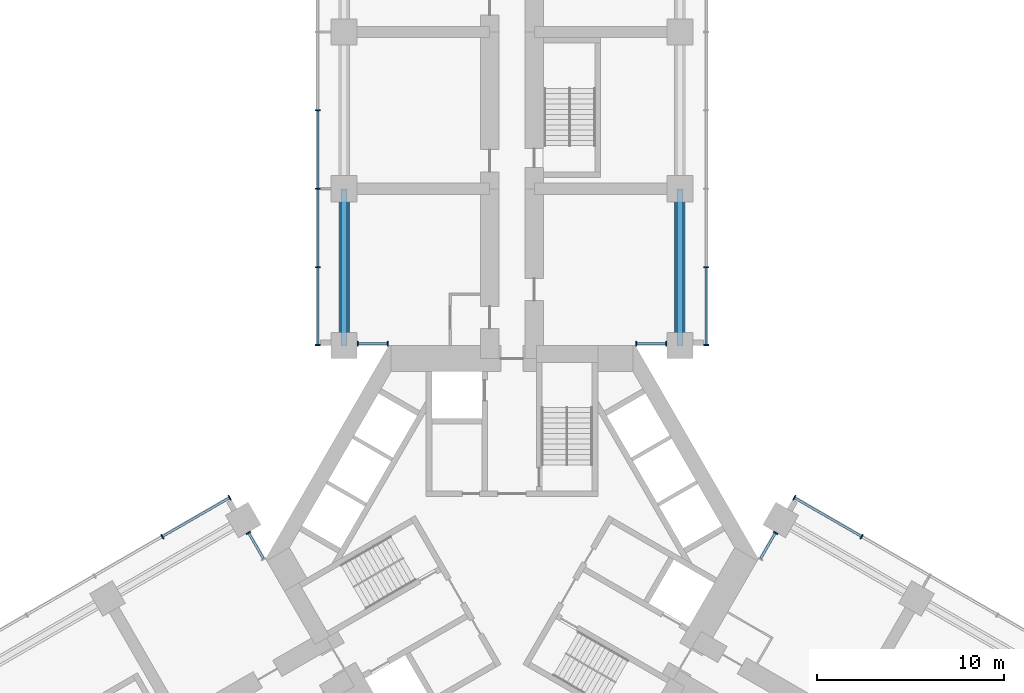
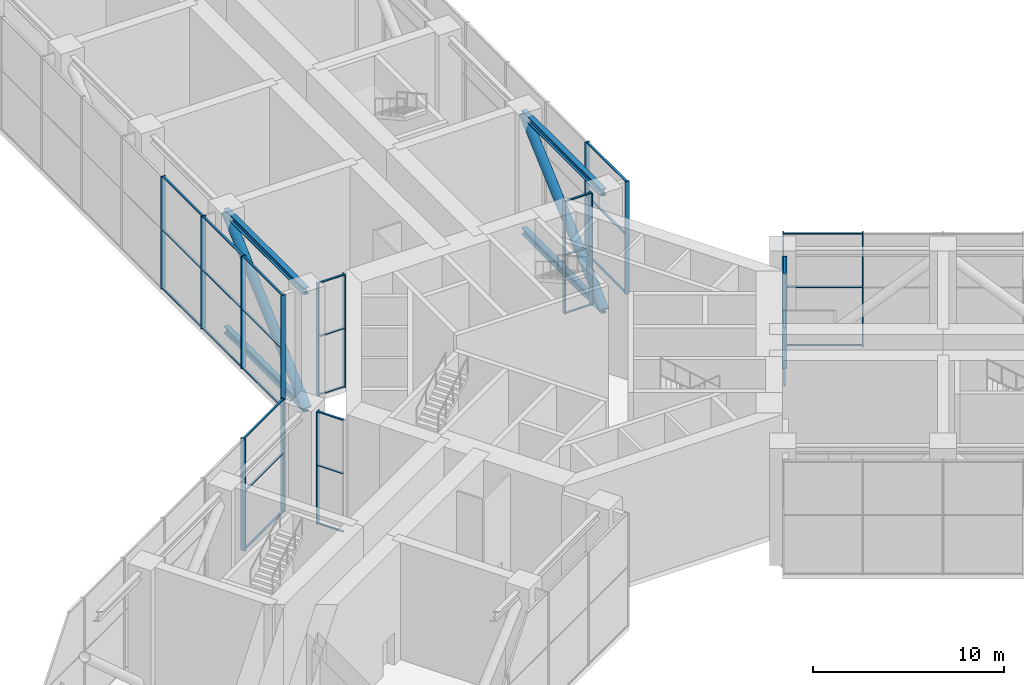
# One storey, part 5 of 19: 52 members, 8 elements without a shape of their own.
"""IFC4 building model written with IfcOpenShell, lengths in metres."""

from ifc_helpers import new_model, si_unit, direction, frame, origin, origin_2d, place, context, subcontext, project, spatial, rectangle, hollow_circle, i_section, extrude, material, material_profile, profile_set, type_object, element, aggregate, save


model = new_model("IFC4")

# Units and contexts
model_context = context("Model", 3, precision=1e-05, world=origin(), true_north=direction((0.0, 1.0)))
body_context = subcontext(model_context, "Body", "Model", "MODEL_VIEW")
ifc_project = project(units=[si_unit("LENGTHUNIT", "METRE"), si_unit("AREAUNIT", "SQUARE_METRE"), si_unit("VOLUMEUNIT", "CUBIC_METRE"), si_unit("PLANEANGLEUNIT", "RADIAN"), si_unit("MASSUNIT", "GRAM", prefix="KILO")], contexts=[model_context])

# Site, building, storey
site_placement = place(None, origin())
site = spatial("IfcSite", under=ifc_project, at=site_placement, CompositionType="ELEMENT")
building_placement = place(site_placement, origin())
building = spatial("IfcBuilding", under=site, at=building_placement, Name="Impinga Residences", CompositionType="ELEMENT")
storey_placement = place(building_placement, frame((0.0, 0.0, 93.5)))
storey = spatial("IfcBuildingStorey", under=building, at=storey_placement, Name="L23", CompositionType="ELEMENT", Elevation=93.5)

# Members
ifc_material_1 = material(Name="Steel S355", Category="steel")
ifc_material_profile_1 = material_profile(ifc_material_1, i_section(OverallWidth=0.306884765625, OverallDepth=0.431884765625, WebThickness=0.02099609375, FlangeThickness=0.0400390625, FilletRadius=0.027099609375, at=origin_2d()), Name="HE 400 M")
ifc_profile_set_1 = profile_set([ifc_material_profile_1], Name="Steel S355")
member_type_1 = type_object("IfcMemberType", Name="BT1 HE 400 M belt truss chord", PredefinedType="CHORD", material=ifc_profile_set_1)
for number, where, z_axis, x_axis, name in (
    (1, (-9.0, 11.431640625, -0.51611328125), (0.0, 1.0, 0.0), (-1.0, 0.0, 0.0), "Belt truss chord BT1 NA N1-N2 L23"),
    (2, (-9.0, 11.431640625, 6.98388671875), (0.0, 1.0, 0.0), (-1.0, 0.0, 0.0), "Belt truss chord BT1 NA N1-N2 L23"),
    (3, (9.0, 11.431640625, -0.51611328125), (0.0, 1.0, 0.0), (-1.0, 0.0, 0.0), "Belt truss chord BT1 NF N1-N2 L23"),
    (4, (9.0, 11.431640625, 6.98388671875), (0.0, 1.0, 0.0), (-1.0, 0.0, 0.0), "Belt truss chord BT1 NF N1-N2 L23"),
):
    element("IfcMember", number, at=place(storey_placement, frame(where, z_axis=z_axis, x_axis=x_axis)), inside=storey, type_object=member_type_1, Name=name, PredefinedType="CHORD", context=body_context, shape_type="SweptSolid", body=[
        extrude(i_section(OverallWidth=0.306884765625, OverallDepth=0.431884765625, WebThickness=0.02099609375, FlangeThickness=0.0400390625, FilletRadius=0.027099609375, at=origin_2d()), origin(), (0.0, 0.0, 1.0), 8.39990234375),
    ])
ifc_material_2 = material(Name="Steel S355J2H", Category="steel")
ifc_material_profile_2 = material_profile(ifc_material_2, hollow_circle(Radius=0.279541015625, WallThickness=0.02001953125, at=origin_2d()), Name="CHS 559x20")
ifc_profile_set_2 = profile_set([ifc_material_profile_2], Name="Steel S355J2H")
member_type_2 = type_object("IfcMemberType", Name="BT2 CHS 559x20 belt truss diagonal at L23", PredefinedType="BRACE", material=ifc_profile_set_2)
for number, where, z_axis, x_axis, name in (
    (5, (-9.0, 11.431640625, -0.51611328125), (0.0, 0.745933814853, 0.666020077669), (-1.0, 0.0, 0.0), "Belt truss diagonal BT2 NA N1-N2 L23"),
    (6, (9.0, 11.431640625, -0.51611328125), (0.0, 0.745933814853, 0.666020077669), (-1.0, 0.0, 0.0), "Belt truss diagonal BT2 NF N1-N2 L23"),
):
    element("IfcMember", number, at=place(storey_placement, frame(where, z_axis=z_axis, x_axis=x_axis)), inside=storey, type_object=member_type_2, Name=name, PredefinedType="BRACE", context=body_context, shape_type="SweptSolid", body=[
        extrude(hollow_circle(Radius=0.279541015625, WallThickness=0.02001953125, at=origin_2d()), origin(), (0.0, 0.0, 1.0), 11.260986328125),
    ])

# Curtain wall, members
ifc_material_3 = material(Name="Aluminium stick curtain wall", Category="aluminium")
curtain_wall_type = type_object("IfcCurtainWallType", Name="CW4 plant floor louvred curtain wall", PredefinedType="USERDEFINED", material=ifc_material_3)
curtain_wall_1_placement = place(storey_placement, origin())
curtain_wall_1 = element("IfcCurtainWall", 7, at=curtain_wall_1_placement, inside=storey, type_object=curtain_wall_type, Name="Curtain wall CW4 L23", ObjectType="STICK CURTAIN WALL", PredefinedType="USERDEFINED")
ifc_material_4 = material(Name="Aluminium mullion", Category="aluminium")
ifc_material_profile_3 = material_profile(ifc_material_4, rectangle(XDim=0.06005859375, YDim=0.27490234375, at=origin_2d()), Name="60x275 mullion")
ifc_profile_set_3 = profile_set([ifc_material_profile_3], Name="Aluminium mullion")
member_type_3 = type_object("IfcMemberType", Name="CW4-M mullion 60x275", PredefinedType="MULLION", material=ifc_profile_set_3)
member_1_placement = place(storey_placement, frame((-18.7373046875, 1.19091796875, 0.0), z_axis=(0.0, 0.0, 1.0), x_axis=(0.866025407005, 0.499999994423, 0.0)))
member_1 = element("IfcMember", 8, at=member_1_placement, type_object=member_type_3, Name="CW4 mullion 8", PredefinedType="MULLION", context=body_context, shape_type="SweptSolid", body=[
    extrude(rectangle(XDim=0.06005859375, YDim=0.27490234375, at=origin_2d()), origin(), (0.0, 0.0, 1.0), 7.199951171875),
])
member_2_placement = place(storey_placement, frame((-15.1259765625, 3.27587890625, 0.0), z_axis=(0.0, 0.0, 1.0), x_axis=(0.866025407005, 0.499999994423, 0.0)))
member_2 = element("IfcMember", 9, at=member_2_placement, type_object=member_type_3, Name="CW4 mullion 9", PredefinedType="MULLION", context=body_context, shape_type="SweptSolid", body=[
    extrude(rectangle(XDim=0.06005859375, YDim=0.27490234375, at=origin_2d()), origin(), (0.0, 0.0, 1.0), 7.199951171875),
])

# Curtain wall, member
curtain_wall_2_placement = place(storey_placement, origin())
curtain_wall_2 = element("IfcCurtainWall", 10, at=curtain_wall_2_placement, inside=storey, type_object=curtain_wall_type, Name="Curtain wall CW4 L23", ObjectType="STICK CURTAIN WALL", PredefinedType="USERDEFINED")
member_3_placement = place(storey_placement, frame((-14.1201171875, 1.3935546875, 0.0), z_axis=(0.0, 0.0, 1.0), x_axis=(0.500000069952, -0.866025363398, 0.0)))
member_3 = element("IfcMember", 11, at=member_3_placement, type_object=member_type_3, Name="CW4 mullion 1", PredefinedType="MULLION", context=body_context, shape_type="SweptSolid", body=[
    extrude(rectangle(XDim=0.06005859375, YDim=0.27490234375, at=origin_2d()), origin(), (0.0, 0.0, 1.0), 7.199951171875),
])

# Curtain wall, members
curtain_wall_3_placement = place(storey_placement, origin())
curtain_wall_3 = element("IfcCurtainWall", 12, at=curtain_wall_3_placement, inside=storey, type_object=curtain_wall_type, Name="Curtain wall CW4 L23", ObjectType="STICK CURTAIN WALL", PredefinedType="USERDEFINED")
member_4_placement = place(storey_placement, frame((-6.6552734375, 11.531494140625, 0.0), z_axis=(0.0, 0.0, 1.0), x_axis=(-1.0, 0.0, 0.0)))
member_4 = element("IfcMember", 13, at=member_4_placement, type_object=member_type_3, Name="CW4 mullion 1", PredefinedType="MULLION", context=body_context, shape_type="SweptSolid", body=[
    extrude(rectangle(XDim=0.06005859375, YDim=0.27490234375, at=origin_2d()), origin(), (0.0, 0.0, 1.0), 7.199951171875),
])
member_5_placement = place(storey_placement, frame((-8.26708984375, 11.531494140625, 0.0), z_axis=(0.0, 0.0, 1.0), x_axis=(-1.0, 0.0, 0.0)))
member_5 = element("IfcMember", 14, at=member_5_placement, type_object=member_type_3, Name="CW4 mullion 2", PredefinedType="MULLION", context=body_context, shape_type="SweptSolid", body=[
    extrude(rectangle(XDim=0.06005859375, YDim=0.27490234375, at=origin_2d()), origin(), (0.0, 0.0, 1.0), 7.199951171875),
])

curtain_wall_4_placement = place(storey_placement, origin())
curtain_wall_4 = element("IfcCurtainWall", 15, at=curtain_wall_4_placement, inside=storey, type_object=curtain_wall_type, Name="Curtain wall CW4 L23", ObjectType="STICK CURTAIN WALL", PredefinedType="USERDEFINED")
member_6_placement = place(storey_placement, frame((-10.39990234375, 11.46142578125, 0.0), z_axis=(0.0, 0.0, 1.0), x_axis=(0.0, 1.0, 0.0)))
member_6 = element("IfcMember", 16, at=member_6_placement, type_object=member_type_3, Name="CW4 mullion 1", PredefinedType="MULLION", context=body_context, shape_type="SweptSolid", body=[
    extrude(rectangle(XDim=0.06005859375, YDim=0.27490234375, at=origin_2d()), origin(), (0.0, 0.0, 1.0), 7.199951171875),
])
member_7_placement = place(storey_placement, frame((-10.39990234375, 15.631591796875, 0.0), z_axis=(0.0, 0.0, 1.0), x_axis=(0.0, 1.0, 0.0)))
member_7 = element("IfcMember", 17, at=member_7_placement, type_object=member_type_3, Name="CW4 mullion 2", PredefinedType="MULLION", context=body_context, shape_type="SweptSolid", body=[
    extrude(rectangle(XDim=0.06005859375, YDim=0.27490234375, at=origin_2d()), origin(), (0.0, 0.0, 1.0), 7.199951171875),
])
member_8_placement = place(storey_placement, frame((-10.39990234375, 19.83154296875, 0.0), z_axis=(0.0, 0.0, 1.0), x_axis=(0.0, 1.0, 0.0)))
member_8 = element("IfcMember", 18, at=member_8_placement, type_object=member_type_3, Name="CW4 mullion 3", PredefinedType="MULLION", context=body_context, shape_type="SweptSolid", body=[
    extrude(rectangle(XDim=0.06005859375, YDim=0.27490234375, at=origin_2d()), origin(), (0.0, 0.0, 1.0), 7.199951171875),
])
member_9_placement = place(storey_placement, frame((-10.39990234375, 24.031494140625, 0.0), z_axis=(0.0, 0.0, 1.0), x_axis=(0.0, 1.0, 0.0)))
member_9 = element("IfcMember", 19, at=member_9_placement, type_object=member_type_3, Name="CW4 mullion 4", PredefinedType="MULLION", context=body_context, shape_type="SweptSolid", body=[
    extrude(rectangle(XDim=0.06005859375, YDim=0.27490234375, at=origin_2d()), origin(), (0.0, 0.0, 1.0), 7.199951171875),
])

curtain_wall_5_placement = place(storey_placement, origin())
curtain_wall_5 = element("IfcCurtainWall", 20, at=curtain_wall_5_placement, inside=storey, type_object=curtain_wall_type, Name="Curtain wall CW4 L23", ObjectType="STICK CURTAIN WALL", PredefinedType="USERDEFINED")
member_10_placement = place(storey_placement, frame((10.39990234375, 15.631591796875, 0.0), z_axis=(0.0, 0.0, 1.0), x_axis=(0.0, -1.0, 0.0)))
member_10 = element("IfcMember", 21, at=member_10_placement, type_object=member_type_3, Name="CW4 mullion 8", PredefinedType="MULLION", context=body_context, shape_type="SweptSolid", body=[
    extrude(rectangle(XDim=0.06005859375, YDim=0.27490234375, at=origin_2d()), origin(), (0.0, 0.0, 1.0), 7.199951171875),
])
member_11_placement = place(storey_placement, frame((10.39990234375, 11.46142578125, 0.0), z_axis=(0.0, 0.0, 1.0), x_axis=(0.0, -1.0, 0.0)))
member_11 = element("IfcMember", 22, at=member_11_placement, type_object=member_type_3, Name="CW4 mullion 9", PredefinedType="MULLION", context=body_context, shape_type="SweptSolid", body=[
    extrude(rectangle(XDim=0.06005859375, YDim=0.27490234375, at=origin_2d()), origin(), (0.0, 0.0, 1.0), 7.199951171875),
])

curtain_wall_6_placement = place(storey_placement, origin())
curtain_wall_6 = element("IfcCurtainWall", 23, at=curtain_wall_6_placement, inside=storey, type_object=curtain_wall_type, Name="Curtain wall CW4 L23", ObjectType="STICK CURTAIN WALL", PredefinedType="USERDEFINED")
member_12_placement = place(storey_placement, frame((8.26708984375, 11.531494140625, 0.0), z_axis=(0.0, 0.0, 1.0), x_axis=(-1.0, 0.0, 0.0)))
member_12 = element("IfcMember", 24, at=member_12_placement, type_object=member_type_3, Name="CW4 mullion 1", PredefinedType="MULLION", context=body_context, shape_type="SweptSolid", body=[
    extrude(rectangle(XDim=0.06005859375, YDim=0.27490234375, at=origin_2d()), origin(), (0.0, 0.0, 1.0), 7.199951171875),
])
member_13_placement = place(storey_placement, frame((6.6552734375, 11.531494140625, 0.0), z_axis=(0.0, 0.0, 1.0), x_axis=(-1.0, 0.0, 0.0)))
member_13 = element("IfcMember", 25, at=member_13_placement, type_object=member_type_3, Name="CW4 mullion 2", PredefinedType="MULLION", context=body_context, shape_type="SweptSolid", body=[
    extrude(rectangle(XDim=0.06005859375, YDim=0.27490234375, at=origin_2d()), origin(), (0.0, 0.0, 1.0), 7.199951171875),
])

# Curtain wall, member
curtain_wall_7_placement = place(storey_placement, origin())
curtain_wall_7 = element("IfcCurtainWall", 26, at=curtain_wall_7_placement, inside=storey, type_object=curtain_wall_type, Name="Curtain wall CW4 L23", ObjectType="STICK CURTAIN WALL", PredefinedType="USERDEFINED")
member_14_placement = place(storey_placement, frame((14.1201171875, 1.3935546875, 0.0), z_axis=(0.0, 0.0, 1.0), x_axis=(0.500000069952, 0.866025363398, 0.0)))
member_14 = element("IfcMember", 27, at=member_14_placement, type_object=member_type_3, Name="CW4 mullion 2", PredefinedType="MULLION", context=body_context, shape_type="SweptSolid", body=[
    extrude(rectangle(XDim=0.06005859375, YDim=0.27490234375, at=origin_2d()), origin(), (0.0, 0.0, 1.0), 7.199951171875),
])

# Curtain wall, members
curtain_wall_8_placement = place(storey_placement, origin())
curtain_wall_8 = element("IfcCurtainWall", 28, at=curtain_wall_8_placement, inside=storey, type_object=curtain_wall_type, Name="Curtain wall CW4 L23", ObjectType="STICK CURTAIN WALL", PredefinedType="USERDEFINED")
member_15_placement = place(storey_placement, frame((15.1259765625, 3.27587890625, 0.0), z_axis=(0.0, 0.0, 1.0), x_axis=(0.866025407005, -0.499999994423, 0.0)))
member_15 = element("IfcMember", 29, at=member_15_placement, type_object=member_type_3, Name="CW4 mullion 1", PredefinedType="MULLION", context=body_context, shape_type="SweptSolid", body=[
    extrude(rectangle(XDim=0.06005859375, YDim=0.27490234375, at=origin_2d()), origin(), (0.0, 0.0, 1.0), 7.199951171875),
])
member_16_placement = place(storey_placement, frame((18.7373046875, 1.19091796875, 0.0), z_axis=(0.0, 0.0, 1.0), x_axis=(0.866025407005, -0.499999994423, 0.0)))
member_16 = element("IfcMember", 30, at=member_16_placement, type_object=member_type_3, Name="CW4 mullion 2", PredefinedType="MULLION", context=body_context, shape_type="SweptSolid", body=[
    extrude(rectangle(XDim=0.06005859375, YDim=0.27490234375, at=origin_2d()), origin(), (0.0, 0.0, 1.0), 7.199951171875),
])

# Member
ifc_material_5 = material(Name="Aluminium transom", Category="aluminium")
ifc_material_profile_4 = material_profile(ifc_material_5, rectangle(XDim=0.06005859375, YDim=0.1201171875, at=origin_2d()), Name="60x120 transom")
ifc_profile_set_4 = profile_set([ifc_material_profile_4], Name="Aluminium transom")
member_type_4 = type_object("IfcMemberType", Name="CW4-T transom 60x120", PredefinedType="USERDEFINED", material=ifc_profile_set_4)
member_17_placement = place(storey_placement, frame((-18.71142578125, 1.205810546875, 0.030029296875), z_axis=(0.866019409031, 0.500010383074, 0.0), x_axis=(0.0, 0.0, 1.0)))
member_17 = element("IfcMember", 31, at=member_17_placement, type_object=member_type_4, Name="CW4 transom 8.1", ObjectType="TRANSOM", PredefinedType="USERDEFINED", context=body_context, shape_type="SweptSolid", body=[
    extrude(rectangle(XDim=0.06005859375, YDim=0.1201171875, at=origin_2d()), origin(), (0.0, 0.0, 1.0), 4.1103515625),
])

member_18_placement = place(storey_placement, frame((-18.71142578125, 1.205810546875, 3.75), z_axis=(0.866019409031, 0.500010383074, 0.0), x_axis=(0.0, 0.0, 1.0)))
member_18 = element("IfcMember", 32, at=member_18_placement, type_object=member_type_4, Name="CW4 transom 8.2", ObjectType="TRANSOM", PredefinedType="USERDEFINED", context=body_context, shape_type="SweptSolid", body=[
    extrude(rectangle(XDim=0.06005859375, YDim=0.1201171875, at=origin_2d()), origin(), (0.0, 0.0, 1.0), 4.1103515625),
])

member_19_placement = place(storey_placement, frame((-18.71142578125, 1.205810546875, 7.169921875), z_axis=(0.866019409031, 0.500010383074, 0.0), x_axis=(0.0, 0.0, 1.0)))
member_19 = element("IfcMember", 33, at=member_19_placement, type_object=member_type_4, Name="CW4 transom 8.3", ObjectType="TRANSOM", PredefinedType="USERDEFINED", context=body_context, shape_type="SweptSolid", body=[
    extrude(rectangle(XDim=0.06005859375, YDim=0.1201171875, at=origin_2d()), origin(), (0.0, 0.0, 1.0), 4.1103515625),
])

aggregate(curtain_wall_1, [member_1, member_2, member_17, member_18, member_19])

member_20_placement = place(storey_placement, frame((-14.105224609375, 1.36767578125, 0.030029296875), z_axis=(0.50008102322, -0.865978619952, 0.0), x_axis=(0.0, 0.0, 1.0)))
member_20 = element("IfcMember", 34, at=member_20_placement, type_object=member_type_4, Name="CW4 transom 1.1", ObjectType="TRANSOM", PredefinedType="USERDEFINED", context=body_context, shape_type="SweptSolid", body=[
    extrude(rectangle(XDim=0.06005859375, YDim=0.1201171875, at=origin_2d()), origin(), (0.0, 0.0, 1.0), 1.552001953125),
])

member_21_placement = place(storey_placement, frame((-14.105224609375, 1.36767578125, 3.75), z_axis=(0.50008102322, -0.865978619952, 0.0), x_axis=(0.0, 0.0, 1.0)))
member_21 = element("IfcMember", 35, at=member_21_placement, type_object=member_type_4, Name="CW4 transom 1.2", ObjectType="TRANSOM", PredefinedType="USERDEFINED", context=body_context, shape_type="SweptSolid", body=[
    extrude(rectangle(XDim=0.06005859375, YDim=0.1201171875, at=origin_2d()), origin(), (0.0, 0.0, 1.0), 1.552001953125),
])

member_22_placement = place(storey_placement, frame((-14.105224609375, 1.36767578125, 7.169921875), z_axis=(0.50008102322, -0.865978619952, 0.0), x_axis=(0.0, 0.0, 1.0)))
member_22 = element("IfcMember", 36, at=member_22_placement, type_object=member_type_4, Name="CW4 transom 1.3", ObjectType="TRANSOM", PredefinedType="USERDEFINED", context=body_context, shape_type="SweptSolid", body=[
    extrude(rectangle(XDim=0.06005859375, YDim=0.1201171875, at=origin_2d()), origin(), (0.0, 0.0, 1.0), 1.552001953125),
])

aggregate(curtain_wall_2, [member_3, member_20, member_21, member_22])

member_23_placement = place(storey_placement, frame((-6.685302734375, 11.531494140625, 0.030029296875), z_axis=(-1.0, 0.0, 0.0), x_axis=(0.0, 0.0, 1.0)))
member_23 = element("IfcMember", 37, at=member_23_placement, type_object=member_type_4, Name="CW4 transom 1.1", ObjectType="TRANSOM", PredefinedType="USERDEFINED", context=body_context, shape_type="SweptSolid", body=[
    extrude(rectangle(XDim=0.06005859375, YDim=0.1201171875, at=origin_2d()), origin(), (0.0, 0.0, 1.0), 1.5517578125),
])

member_24_placement = place(storey_placement, frame((-6.685302734375, 11.531494140625, 3.75), z_axis=(-1.0, 0.0, 0.0), x_axis=(0.0, 0.0, 1.0)))
member_24 = element("IfcMember", 38, at=member_24_placement, type_object=member_type_4, Name="CW4 transom 1.2", ObjectType="TRANSOM", PredefinedType="USERDEFINED", context=body_context, shape_type="SweptSolid", body=[
    extrude(rectangle(XDim=0.06005859375, YDim=0.1201171875, at=origin_2d()), origin(), (0.0, 0.0, 1.0), 1.5517578125),
])

member_25_placement = place(storey_placement, frame((-6.685302734375, 11.531494140625, 7.169921875), z_axis=(-1.0, 0.0, 0.0), x_axis=(0.0, 0.0, 1.0)))
member_25 = element("IfcMember", 39, at=member_25_placement, type_object=member_type_4, Name="CW4 transom 1.3", ObjectType="TRANSOM", PredefinedType="USERDEFINED", context=body_context, shape_type="SweptSolid", body=[
    extrude(rectangle(XDim=0.06005859375, YDim=0.1201171875, at=origin_2d()), origin(), (0.0, 0.0, 1.0), 1.5517578125),
])

aggregate(curtain_wall_3, [member_4, member_5, member_23, member_24, member_25])

member_26_placement = place(storey_placement, frame((-10.39990234375, 11.491455078125, 0.030029296875), z_axis=(0.0, 1.0, 0.0), x_axis=(0.0, 0.0, 1.0)))
member_26 = element("IfcMember", 40, at=member_26_placement, type_object=member_type_4, Name="CW4 transom 1.1", ObjectType="TRANSOM", PredefinedType="USERDEFINED", context=body_context, shape_type="SweptSolid", body=[
    extrude(rectangle(XDim=0.06005859375, YDim=0.1201171875, at=origin_2d()), origin(), (0.0, 0.0, 1.0), 4.110107421875),
])

member_27_placement = place(storey_placement, frame((-10.39990234375, 11.491455078125, 3.75), z_axis=(0.0, 1.0, 0.0), x_axis=(0.0, 0.0, 1.0)))
member_27 = element("IfcMember", 41, at=member_27_placement, type_object=member_type_4, Name="CW4 transom 1.2", ObjectType="TRANSOM", PredefinedType="USERDEFINED", context=body_context, shape_type="SweptSolid", body=[
    extrude(rectangle(XDim=0.06005859375, YDim=0.1201171875, at=origin_2d()), origin(), (0.0, 0.0, 1.0), 4.110107421875),
])

member_28_placement = place(storey_placement, frame((-10.39990234375, 11.491455078125, 7.169921875), z_axis=(0.0, 1.0, 0.0), x_axis=(0.0, 0.0, 1.0)))
member_28 = element("IfcMember", 42, at=member_28_placement, type_object=member_type_4, Name="CW4 transom 1.3", ObjectType="TRANSOM", PredefinedType="USERDEFINED", context=body_context, shape_type="SweptSolid", body=[
    extrude(rectangle(XDim=0.06005859375, YDim=0.1201171875, at=origin_2d()), origin(), (0.0, 0.0, 1.0), 4.110107421875),
])

member_29_placement = place(storey_placement, frame((-10.39990234375, 15.66162109375, 0.030029296875), z_axis=(0.0, 1.0, 0.0), x_axis=(0.0, 0.0, 1.0)))
member_29 = element("IfcMember", 43, at=member_29_placement, type_object=member_type_4, Name="CW4 transom 2.1", ObjectType="TRANSOM", PredefinedType="USERDEFINED", context=body_context, shape_type="SweptSolid", body=[
    extrude(rectangle(XDim=0.06005859375, YDim=0.1201171875, at=origin_2d()), origin(), (0.0, 0.0, 1.0), 4.139892578125),
])

member_30_placement = place(storey_placement, frame((-10.39990234375, 15.66162109375, 3.75), z_axis=(0.0, 1.0, 0.0), x_axis=(0.0, 0.0, 1.0)))
member_30 = element("IfcMember", 44, at=member_30_placement, type_object=member_type_4, Name="CW4 transom 2.2", ObjectType="TRANSOM", PredefinedType="USERDEFINED", context=body_context, shape_type="SweptSolid", body=[
    extrude(rectangle(XDim=0.06005859375, YDim=0.1201171875, at=origin_2d()), origin(), (0.0, 0.0, 1.0), 4.139892578125),
])

member_31_placement = place(storey_placement, frame((-10.39990234375, 15.66162109375, 7.169921875), z_axis=(0.0, 1.0, 0.0), x_axis=(0.0, 0.0, 1.0)))
member_31 = element("IfcMember", 45, at=member_31_placement, type_object=member_type_4, Name="CW4 transom 2.3", ObjectType="TRANSOM", PredefinedType="USERDEFINED", context=body_context, shape_type="SweptSolid", body=[
    extrude(rectangle(XDim=0.06005859375, YDim=0.1201171875, at=origin_2d()), origin(), (0.0, 0.0, 1.0), 4.139892578125),
])

member_32_placement = place(storey_placement, frame((-10.39990234375, 19.861572265625, 0.030029296875), z_axis=(0.0, 1.0, 0.0), x_axis=(0.0, 0.0, 1.0)))
member_32 = element("IfcMember", 46, at=member_32_placement, type_object=member_type_4, Name="CW4 transom 3.1", ObjectType="TRANSOM", PredefinedType="USERDEFINED", context=body_context, shape_type="SweptSolid", body=[
    extrude(rectangle(XDim=0.06005859375, YDim=0.1201171875, at=origin_2d()), origin(), (0.0, 0.0, 1.0), 4.139892578125),
])

member_33_placement = place(storey_placement, frame((-10.39990234375, 19.861572265625, 3.75), z_axis=(0.0, 1.0, 0.0), x_axis=(0.0, 0.0, 1.0)))
member_33 = element("IfcMember", 47, at=member_33_placement, type_object=member_type_4, Name="CW4 transom 3.2", ObjectType="TRANSOM", PredefinedType="USERDEFINED", context=body_context, shape_type="SweptSolid", body=[
    extrude(rectangle(XDim=0.06005859375, YDim=0.1201171875, at=origin_2d()), origin(), (0.0, 0.0, 1.0), 4.139892578125),
])

member_34_placement = place(storey_placement, frame((-10.39990234375, 19.861572265625, 7.169921875), z_axis=(0.0, 1.0, 0.0), x_axis=(0.0, 0.0, 1.0)))
member_34 = element("IfcMember", 48, at=member_34_placement, type_object=member_type_4, Name="CW4 transom 3.3", ObjectType="TRANSOM", PredefinedType="USERDEFINED", context=body_context, shape_type="SweptSolid", body=[
    extrude(rectangle(XDim=0.06005859375, YDim=0.1201171875, at=origin_2d()), origin(), (0.0, 0.0, 1.0), 4.139892578125),
])

aggregate(curtain_wall_4, [member_6, member_7, member_8, member_9, member_26, member_27, member_28, member_29, member_30, member_31, member_32, member_33, member_34])

member_35_placement = place(storey_placement, frame((10.39990234375, 15.6015625, 0.030029296875), z_axis=(0.0, -1.0, 0.0), x_axis=(0.0, 0.0, 1.0)))
member_35 = element("IfcMember", 49, at=member_35_placement, type_object=member_type_4, Name="CW4 transom 8.1", ObjectType="TRANSOM", PredefinedType="USERDEFINED", context=body_context, shape_type="SweptSolid", body=[
    extrude(rectangle(XDim=0.06005859375, YDim=0.1201171875, at=origin_2d()), origin(), (0.0, 0.0, 1.0), 4.110107421875),
])

member_36_placement = place(storey_placement, frame((10.39990234375, 15.6015625, 3.75), z_axis=(0.0, -1.0, 0.0), x_axis=(0.0, 0.0, 1.0)))
member_36 = element("IfcMember", 50, at=member_36_placement, type_object=member_type_4, Name="CW4 transom 8.2", ObjectType="TRANSOM", PredefinedType="USERDEFINED", context=body_context, shape_type="SweptSolid", body=[
    extrude(rectangle(XDim=0.06005859375, YDim=0.1201171875, at=origin_2d()), origin(), (0.0, 0.0, 1.0), 4.110107421875),
])

member_37_placement = place(storey_placement, frame((10.39990234375, 15.6015625, 7.169921875), z_axis=(0.0, -1.0, 0.0), x_axis=(0.0, 0.0, 1.0)))
member_37 = element("IfcMember", 51, at=member_37_placement, type_object=member_type_4, Name="CW4 transom 8.3", ObjectType="TRANSOM", PredefinedType="USERDEFINED", context=body_context, shape_type="SweptSolid", body=[
    extrude(rectangle(XDim=0.06005859375, YDim=0.1201171875, at=origin_2d()), origin(), (0.0, 0.0, 1.0), 4.110107421875),
])

aggregate(curtain_wall_5, [member_10, member_11, member_35, member_36, member_37])

member_38_placement = place(storey_placement, frame((8.237060546875, 11.531494140625, 0.030029296875), z_axis=(-1.0, 0.0, 0.0), x_axis=(0.0, 0.0, 1.0)))
member_38 = element("IfcMember", 52, at=member_38_placement, type_object=member_type_4, Name="CW4 transom 1.1", ObjectType="TRANSOM", PredefinedType="USERDEFINED", context=body_context, shape_type="SweptSolid", body=[
    extrude(rectangle(XDim=0.06005859375, YDim=0.1201171875, at=origin_2d()), origin(), (0.0, 0.0, 1.0), 1.5517578125),
])

member_39_placement = place(storey_placement, frame((8.237060546875, 11.531494140625, 3.75), z_axis=(-1.0, 0.0, 0.0), x_axis=(0.0, 0.0, 1.0)))
member_39 = element("IfcMember", 53, at=member_39_placement, type_object=member_type_4, Name="CW4 transom 1.2", ObjectType="TRANSOM", PredefinedType="USERDEFINED", context=body_context, shape_type="SweptSolid", body=[
    extrude(rectangle(XDim=0.06005859375, YDim=0.1201171875, at=origin_2d()), origin(), (0.0, 0.0, 1.0), 1.5517578125),
])

member_40_placement = place(storey_placement, frame((8.237060546875, 11.531494140625, 7.169921875), z_axis=(-1.0, 0.0, 0.0), x_axis=(0.0, 0.0, 1.0)))
member_40 = element("IfcMember", 54, at=member_40_placement, type_object=member_type_4, Name="CW4 transom 1.3", ObjectType="TRANSOM", PredefinedType="USERDEFINED", context=body_context, shape_type="SweptSolid", body=[
    extrude(rectangle(XDim=0.06005859375, YDim=0.1201171875, at=origin_2d()), origin(), (0.0, 0.0, 1.0), 1.5517578125),
])

aggregate(curtain_wall_6, [member_12, member_13, member_38, member_39, member_40])

member_41_placement = place(storey_placement, frame((13.3291015625, 0.023681640625, 0.030029296875), z_axis=(0.50008102322, 0.865978619952, 0.0), x_axis=(0.0, 0.0, 1.0)))
member_41 = element("IfcMember", 55, at=member_41_placement, type_object=member_type_4, Name="CW4 transom 1.1", ObjectType="TRANSOM", PredefinedType="USERDEFINED", context=body_context, shape_type="SweptSolid", body=[
    extrude(rectangle(XDim=0.06005859375, YDim=0.1201171875, at=origin_2d()), origin(), (0.0, 0.0, 1.0), 1.552001953125),
])

member_42_placement = place(storey_placement, frame((13.3291015625, 0.023681640625, 3.75), z_axis=(0.50008102322, 0.865978619952, 0.0), x_axis=(0.0, 0.0, 1.0)))
member_42 = element("IfcMember", 56, at=member_42_placement, type_object=member_type_4, Name="CW4 transom 1.2", ObjectType="TRANSOM", PredefinedType="USERDEFINED", context=body_context, shape_type="SweptSolid", body=[
    extrude(rectangle(XDim=0.06005859375, YDim=0.1201171875, at=origin_2d()), origin(), (0.0, 0.0, 1.0), 1.552001953125),
])

member_43_placement = place(storey_placement, frame((13.3291015625, 0.023681640625, 7.169921875), z_axis=(0.50008102322, 0.865978619952, 0.0), x_axis=(0.0, 0.0, 1.0)))
member_43 = element("IfcMember", 57, at=member_43_placement, type_object=member_type_4, Name="CW4 transom 1.3", ObjectType="TRANSOM", PredefinedType="USERDEFINED", context=body_context, shape_type="SweptSolid", body=[
    extrude(rectangle(XDim=0.06005859375, YDim=0.1201171875, at=origin_2d()), origin(), (0.0, 0.0, 1.0), 1.552001953125),
])

aggregate(curtain_wall_7, [member_14, member_41, member_42, member_43])

member_44_placement = place(storey_placement, frame((15.15185546875, 3.260986328125, 0.030029296875), z_axis=(0.866019409031, -0.500010383074, 0.0), x_axis=(0.0, 0.0, 1.0)))
member_44 = element("IfcMember", 58, at=member_44_placement, type_object=member_type_4, Name="CW4 transom 1.1", ObjectType="TRANSOM", PredefinedType="USERDEFINED", context=body_context, shape_type="SweptSolid", body=[
    extrude(rectangle(XDim=0.06005859375, YDim=0.1201171875, at=origin_2d()), origin(), (0.0, 0.0, 1.0), 4.1103515625),
])

member_45_placement = place(storey_placement, frame((15.15185546875, 3.260986328125, 3.75), z_axis=(0.866019409031, -0.500010383074, 0.0), x_axis=(0.0, 0.0, 1.0)))
member_45 = element("IfcMember", 59, at=member_45_placement, type_object=member_type_4, Name="CW4 transom 1.2", ObjectType="TRANSOM", PredefinedType="USERDEFINED", context=body_context, shape_type="SweptSolid", body=[
    extrude(rectangle(XDim=0.06005859375, YDim=0.1201171875, at=origin_2d()), origin(), (0.0, 0.0, 1.0), 4.1103515625),
])

member_46_placement = place(storey_placement, frame((15.15185546875, 3.260986328125, 7.169921875), z_axis=(0.866019409031, -0.500010383074, 0.0), x_axis=(0.0, 0.0, 1.0)))
member_46 = element("IfcMember", 60, at=member_46_placement, type_object=member_type_4, Name="CW4 transom 1.3", ObjectType="TRANSOM", PredefinedType="USERDEFINED", context=body_context, shape_type="SweptSolid", body=[
    extrude(rectangle(XDim=0.06005859375, YDim=0.1201171875, at=origin_2d()), origin(), (0.0, 0.0, 1.0), 4.1103515625),
])

aggregate(curtain_wall_8, [member_15, member_16, member_44, member_45, member_46])

save(model, "model.ifc")
